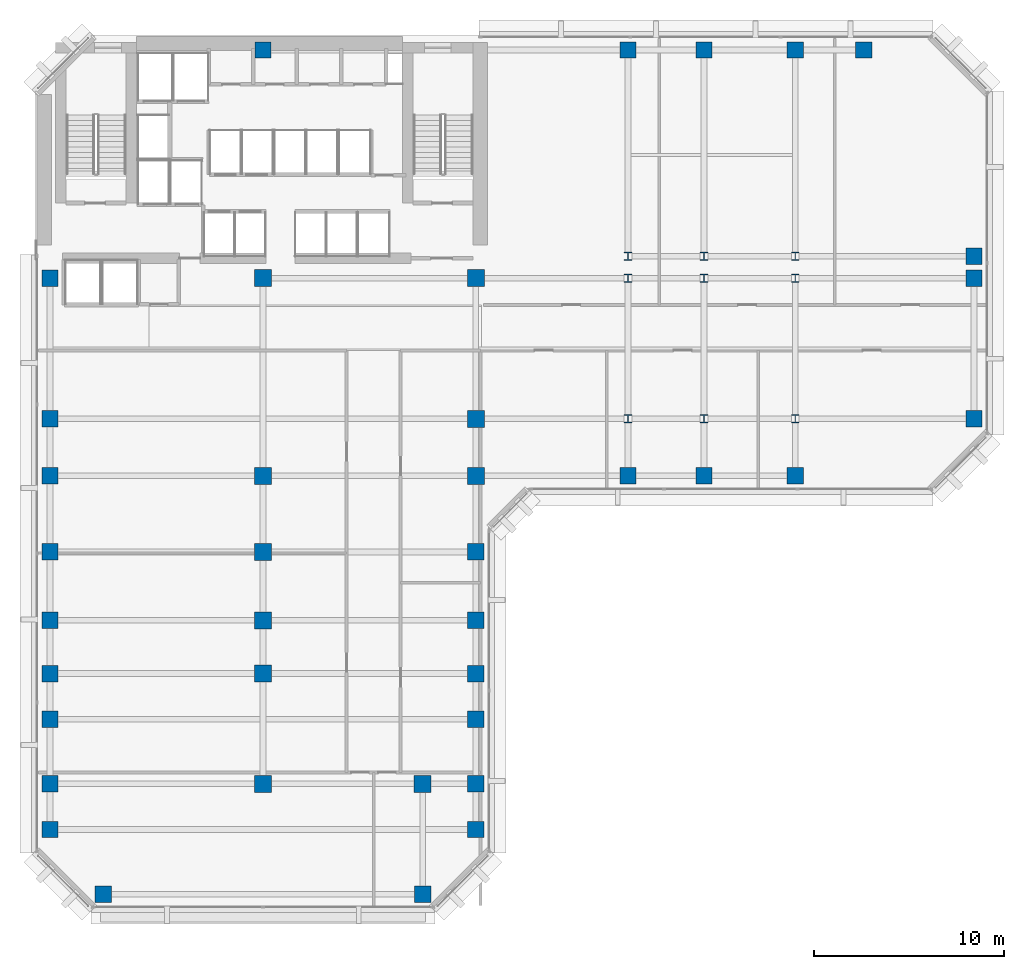
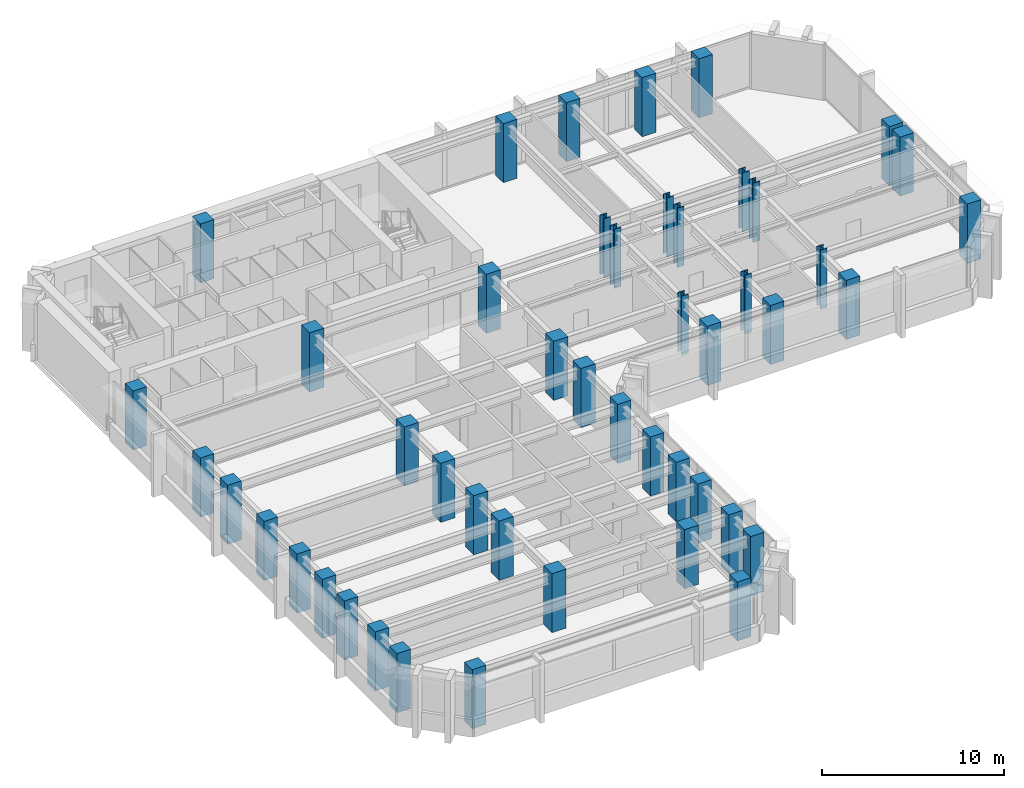
# One storey, part 1 of 12: 47 columns.
"""IFC4 building model written with IfcOpenShell, lengths in metres."""

from ifc_helpers import new_model, si_unit, direction, frame, origin, origin_2d, place, context, subcontext, project, spatial, rectangle, i_section, extrude, material, material_profile, profile_set, type_object, element, save


model = new_model("IFC4")

# Units and contexts
model_context = context("Model", 3, precision=1e-05, world=origin(), true_north=direction((0.0, 1.0)))
body_context = subcontext(model_context, "Body", "Model", "MODEL_VIEW")
ifc_project = project(units=[si_unit("LENGTHUNIT", "METRE"), si_unit("AREAUNIT", "SQUARE_METRE"), si_unit("VOLUMEUNIT", "CUBIC_METRE"), si_unit("PLANEANGLEUNIT", "RADIAN"), si_unit("MASSUNIT", "GRAM", prefix="KILO")], contexts=[model_context])

# Site, building, storey
site_placement = place(None, origin())
site = spatial("IfcSite", under=ifc_project, at=site_placement, CompositionType="ELEMENT")
building_placement = place(site_placement, origin())
building = spatial("IfcBuilding", under=site, at=building_placement, Name="Kefirva Bronze Tower", CompositionType="ELEMENT")
storey_placement = place(building_placement, frame((0.0, 0.0, 126.389892578125)))
storey = spatial("IfcBuildingStorey", under=building, at=storey_placement, Name="L30", CompositionType="ELEMENT", Elevation=126.389892578125)

# Columns
ifc_material_1 = material(Name="Concrete C60/75", Category="concrete")
ifc_material_profile_1 = material_profile(ifc_material_1, rectangle(XDim=0.860107421875, YDim=0.860107421875, at=origin_2d()), Name="RC 860x860")
ifc_profile_set_1 = profile_set([ifc_material_profile_1], Name="Concrete C60/75")
column_type_1 = type_object("IfcColumnType", Name="RC Column 860x860 Ext", PredefinedType="COLUMN", material=ifc_profile_set_1)
for number, where, z_axis, x_axis, name in (
    (1, (0.800048828125, 4.199951171875, 0.0), (0.0, 0.0, 1.0), (1.0, 0.0, 0.0), "L30 Column C008_042"),
    (2, (0.800048828125, 6.60009765625, 0.0), (0.0, 0.0, 1.0), (1.0, 0.0, 0.0), "L30 Column C008_066"),
    (3, (0.800048828125, 10.0, 0.0), (0.0, 0.0, 1.0), (1.0, 0.0, 0.0), "L30 Column C008_100"),
    (4, (0.800048828125, 12.39990234375, 0.0), (0.0, 0.0, 1.0), (1.0, 0.0, 0.0), "L30 Column C008_124"),
    (5, (0.800048828125, 15.199951171875, 0.0), (0.0, 0.0, 1.0), (1.0, 0.0, 0.0), "L30 Column C008_152"),
    (6, (0.800048828125, 18.800048828125, 0.0), (0.0, 0.0, 1.0), (1.0, 0.0, 0.0), "L30 Column C008_188"),
    (7, (0.800048828125, 22.800048828125, 0.0), (0.0, 0.0, 1.0), (1.0, 0.0, 0.0), "L30 Column C008_228"),
    (8, (0.800048828125, 25.800048828125, 0.0), (0.0, 0.0, 1.0), (1.0, 0.0, 0.0), "L30 Column C008_258"),
    (9, (0.800048828125, 33.199951171875, 0.0), (0.0, 0.0, 1.0), (1.0, 0.0, 0.0), "L30 Column C008_332"),
    (10, (3.60009765625, 0.800048828125, 0.0), (0.0, 0.0, 1.0), (1.0, 0.0, 0.0), "L30 Column C036_008"),
    (11, (12.0, 45.199951171875, 0.0), (0.0, 0.0, 1.0), (1.0, 0.0, 0.0), "L30 Column C120_452"),
    (12, (20.39990234375, 0.800048828125, 0.0), (0.0, 0.0, 1.0), (1.0, 0.0, 0.0), "L30 Column C204_008"),
    (13, (23.199951171875, 4.199951171875, 0.0), (0.0, 0.0, 1.0), (1.0, 0.0, 0.0), "L30 Column C232_042"),
    (14, (23.199951171875, 6.60009765625, 0.0), (0.0, 0.0, 1.0), (1.0, 0.0, 0.0), "L30 Column C232_066"),
    (15, (23.199951171875, 10.0, 0.0), (0.0, 0.0, 1.0), (1.0, 0.0, 0.0), "L30 Column C232_100"),
    (16, (23.199951171875, 12.39990234375, 0.0), (0.0, 0.0, 1.0), (1.0, 0.0, 0.0), "L30 Column C232_124"),
    (17, (23.199951171875, 15.199951171875, 0.0), (0.0, 0.0, 1.0), (1.0, 0.0, 0.0), "L30 Column C232_152"),
    (18, (23.199951171875, 18.800048828125, 0.0), (0.0, 0.0, 1.0), (1.0, 0.0, 0.0), "L30 Column C232_188"),
    (19, (31.199951171875, 22.800048828125, 0.0), (0.0, 0.0, 1.0), (1.0, 0.0, 0.0), "L30 Column C312_228"),
    (20, (31.199951171875, 45.199951171875, 0.0), (0.0, 0.0, 1.0), (1.0, 0.0, 0.0), "L30 Column C312_452"),
    (21, (35.199951171875, 22.800048828125, 0.0), (0.0, 0.0, 1.0), (1.0, 0.0, 0.0), "L30 Column C352_228"),
    (22, (35.199951171875, 45.199951171875, 0.0), (0.0, 0.0, 1.0), (1.0, 0.0, 0.0), "L30 Column C352_452"),
    (23, (40.0, 22.800048828125, 0.0), (0.0, 0.0, 1.0), (1.0, 0.0, 0.0), "L30 Column C400_228"),
    (24, (40.0, 45.199951171875, 0.0), (0.0, 0.0, 1.0), (1.0, 0.0, 0.0), "L30 Column C400_452"),
    (25, (43.60009765625, 45.199951171875, 0.0), (0.0, 0.0, 1.0), (1.0, 0.0, 0.0), "L30 Column C436_452"),
    (26, (49.39990234375, 25.800048828125, 0.0), (0.0, 0.0, 1.0), (1.0, 0.0, 0.0), "L30 Column C494_258"),
    (27, (49.39990234375, 33.199951171875, 0.0), (0.0, 0.0, 1.0), (1.0, 0.0, 0.0), "L30 Column C494_332"),
    (28, (49.39990234375, 34.35009765625, 0.0), (0.0, 0.0, 1.0), (1.0, 0.0, 0.0), "L30 Column C494_344"),
):
    element("IfcColumn", number, at=place(storey_placement, frame(where, z_axis=z_axis, x_axis=x_axis)), inside=storey, type_object=column_type_1, Name=name, PredefinedType="COLUMN", context=body_context, shape_type="SweptSolid", body=[
        extrude(rectangle(XDim=0.860107421875, YDim=0.860107421875, at=origin_2d()), origin(), (0.0, 0.0, 1.0), 3.960205078125),
    ])
ifc_material_profile_2 = material_profile(ifc_material_1, rectangle(XDim=0.89990234375, YDim=0.89990234375, at=origin_2d()), Name="RC 900x900")
ifc_profile_set_2 = profile_set([ifc_material_profile_2], Name="Concrete C60/75")
column_type_2 = type_object("IfcColumnType", Name="RC Column 900x900 Int", PredefinedType="COLUMN", material=ifc_profile_set_2)
for number, where, z_axis, x_axis, name in (
    (29, (12.0, 6.60009765625, 0.0), (0.0, 0.0, 1.0), (1.0, 0.0, 0.0), "L30 Column C120_066"),
    (30, (12.0, 12.39990234375, 0.0), (0.0, 0.0, 1.0), (1.0, 0.0, 0.0), "L30 Column C120_124"),
    (31, (12.0, 15.199951171875, 0.0), (0.0, 0.0, 1.0), (1.0, 0.0, 0.0), "L30 Column C120_152"),
    (32, (12.0, 18.800048828125, 0.0), (0.0, 0.0, 1.0), (1.0, 0.0, 0.0), "L30 Column C120_188"),
    (33, (12.0, 22.800048828125, 0.0), (0.0, 0.0, 1.0), (1.0, 0.0, 0.0), "L30 Column C120_228"),
    (34, (12.0, 33.199951171875, 0.0), (0.0, 0.0, 1.0), (1.0, 0.0, 0.0), "L30 Column C120_332"),
    (35, (20.39990234375, 6.60009765625, 0.0), (0.0, 0.0, 1.0), (1.0, 0.0, 0.0), "L30 Column C204_066"),
    (36, (23.199951171875, 22.800048828125, 0.0), (0.0, 0.0, 1.0), (1.0, 0.0, 0.0), "L30 Column C232_228"),
    (37, (23.199951171875, 25.800048828125, 0.0), (0.0, 0.0, 1.0), (1.0, 0.0, 0.0), "L30 Column C232_258"),
    (38, (23.199951171875, 33.199951171875, 0.0), (0.0, 0.0, 1.0), (1.0, 0.0, 0.0), "L30 Column C232_332"),
):
    element("IfcColumn", number, at=place(storey_placement, frame(where, z_axis=z_axis, x_axis=x_axis)), inside=storey, type_object=column_type_2, Name=name, PredefinedType="COLUMN", context=body_context, shape_type="SweptSolid", body=[
        extrude(rectangle(XDim=0.89990234375, YDim=0.89990234375, at=origin_2d()), origin(), (0.0, 0.0, 1.0), 3.960205078125),
    ])
ifc_material_2 = material(Name="Steel S460", Category="steel")
ifc_material_profile_3 = material_profile(ifc_material_2, i_section(OverallWidth=0.41796875, OverallDepth=0.455078125, WebThickness=0.031982421875, FlangeThickness=0.051025390625, at=origin_2d()), Name="HD 400x551")
ifc_profile_set_3 = profile_set([ifc_material_profile_3], Name="Steel S460")
column_type_3 = type_object("IfcColumnType", Name="Steel Column HD 400x551", PredefinedType="COLUMN", material=ifc_profile_set_3)
for number, where, z_axis, x_axis, name in (
    (39, (31.199951171875, 25.800048828125, 0.0), (0.0, 0.0, 1.0), (1.0, 0.0, 0.0), "L30 Column C312_258"),
    (40, (31.199951171875, 33.199951171875, 0.0), (0.0, 0.0, 1.0), (1.0, 0.0, 0.0), "L30 Column C312_332"),
    (41, (31.199951171875, 34.35009765625, 0.0), (0.0, 0.0, 1.0), (1.0, 0.0, 0.0), "L30 Column C312_344"),
    (42, (35.199951171875, 25.800048828125, 0.0), (0.0, 0.0, 1.0), (1.0, 0.0, 0.0), "L30 Column C352_258"),
    (43, (35.199951171875, 33.199951171875, 0.0), (0.0, 0.0, 1.0), (1.0, 0.0, 0.0), "L30 Column C352_332"),
    (44, (35.199951171875, 34.35009765625, 0.0), (0.0, 0.0, 1.0), (1.0, 0.0, 0.0), "L30 Column C352_344"),
    (45, (40.0, 25.800048828125, 0.0), (0.0, 0.0, 1.0), (1.0, 0.0, 0.0), "L30 Column C400_258"),
    (46, (40.0, 33.199951171875, 0.0), (0.0, 0.0, 1.0), (1.0, 0.0, 0.0), "L30 Column C400_332"),
    (47, (40.0, 34.35009765625, 0.0), (0.0, 0.0, 1.0), (1.0, 0.0, 0.0), "L30 Column C400_344"),
):
    element("IfcColumn", number, at=place(storey_placement, frame(where, z_axis=z_axis, x_axis=x_axis)), inside=storey, type_object=column_type_3, Name=name, PredefinedType="COLUMN", context=body_context, shape_type="SweptSolid", body=[
        extrude(i_section(OverallWidth=0.41796875, OverallDepth=0.455078125, WebThickness=0.031982421875, FlangeThickness=0.051025390625, at=origin_2d()), origin(), (0.0, 0.0, 1.0), 3.960205078125),
    ])

save(model, "model.ifc")
